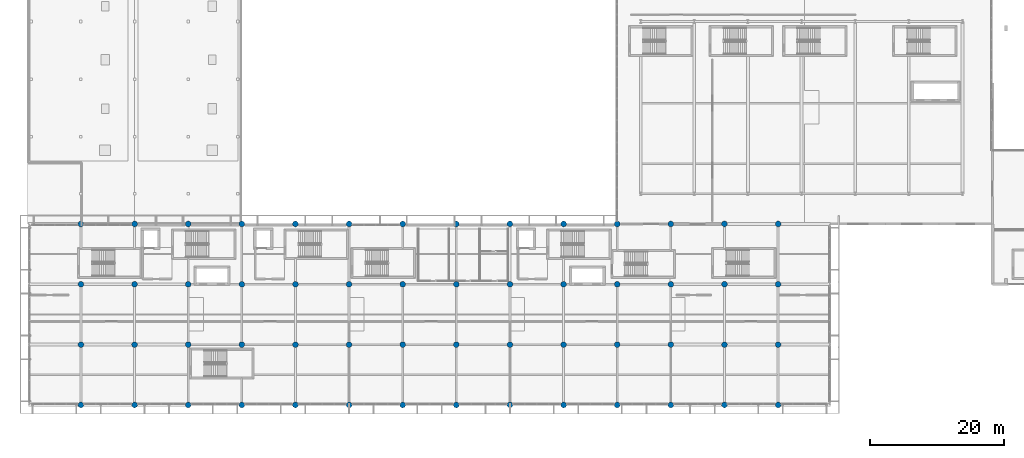
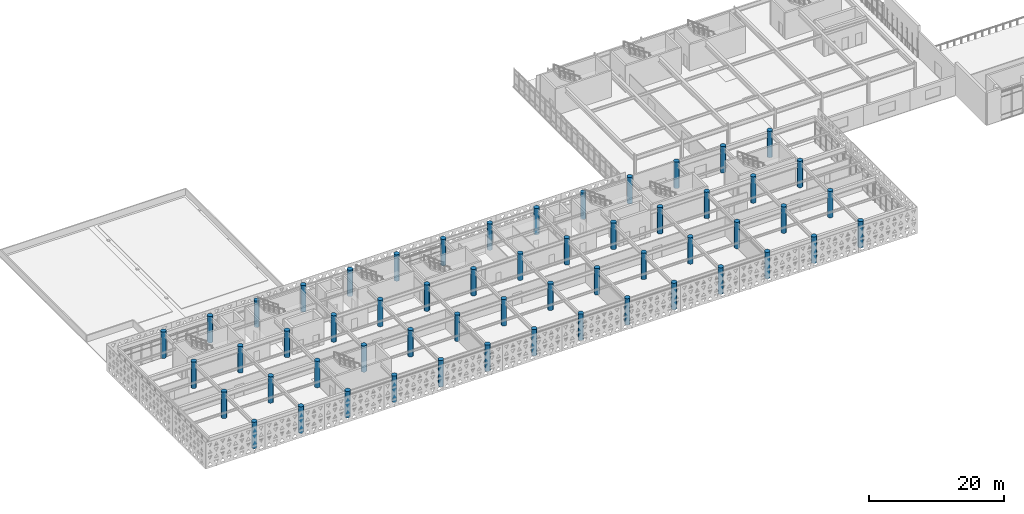
# One storey, part 1 of 54: 56 columns.
"""IFC4 building model written with IfcOpenShell, lengths in metres."""

from ifc_helpers import new_model, si_unit, direction, frame, origin, origin_2d, place, context, subcontext, project, spatial, circle, extrude, material, material_profile, profile_set, type_object, element, save


model = new_model("IFC4")

# Units and contexts
model_context = context("Model", 3, precision=1e-05, world=origin(), true_north=direction((0.0, 1.0)))
body_context = subcontext(model_context, "Body", "Model", "MODEL_VIEW")
ifc_project = project(units=[si_unit("LENGTHUNIT", "METRE"), si_unit("AREAUNIT", "SQUARE_METRE"), si_unit("VOLUMEUNIT", "CUBIC_METRE"), si_unit("PLANEANGLEUNIT", "RADIAN"), si_unit("MASSUNIT", "GRAM", prefix="KILO")], contexts=[model_context])

# Site, building, storey
site_placement = place(None, origin())
site = spatial("IfcSite", under=ifc_project, at=site_placement, CompositionType="ELEMENT")
building_placement = place(site_placement, origin())
building = spatial("IfcBuilding", under=site, at=building_placement, Name="Tlacozan Convention Centre", CompositionType="ELEMENT")
storey_placement = place(building_placement, frame((0.0, 0.0, 11.39990234375)))
storey = spatial("IfcBuildingStorey", under=building, at=storey_placement, Name="L02", CompositionType="ELEMENT", Elevation=11.39990234375)

# Columns
ifc_material = material(Name="Concrete C40/50", Category="concrete")
ifc_material_profile = material_profile(ifc_material, circle(Radius=0.425048828125, at=origin_2d()), Name="RCC D850")
ifc_profile_set = profile_set([ifc_material_profile], Name="Concrete C40/50")
column_type = type_object("IfcColumnType", Name="Column Round RCC D850", PredefinedType="COLUMN", material=ifc_profile_set)
for number, where, z_axis, x_axis, name in (
    (1, (8.0, 0.0, 0.0), (0.0, 0.0, 1.0), (1.0, 0.0, 0.0), "L02 Column 40"),
    (2, (8.0, 9.0, 0.0), (0.0, 0.0, 1.0), (1.0, 0.0, 0.0), "L02 Column 46"),
    (3, (8.0, 18.0, 0.0), (0.0, 0.0, 1.0), (1.0, 0.0, 0.0), "L02 Column 52"),
    (4, (8.0, 27.0, 0.0), (0.0, 0.0, 1.0), (1.0, 0.0, 0.0), "L02 Column 58"),
    (5, (16.0, 0.0, 0.0), (0.0, 0.0, 1.0), (1.0, 0.0, 0.0), "L02 Column 89"),
    (6, (16.0, 9.0, 0.0), (0.0, 0.0, 1.0), (1.0, 0.0, 0.0), "L02 Column 95"),
    (7, (16.0, 18.0, 0.0), (0.0, 0.0, 1.0), (1.0, 0.0, 0.0), "L02 Column 101"),
    (8, (16.0, 27.0, 0.0), (0.0, 0.0, 1.0), (1.0, 0.0, 0.0), "L02 Column 107"),
    (9, (24.0, 0.0, 0.0), (0.0, 0.0, 1.0), (1.0, 0.0, 0.0), "L02 Column 138"),
    (10, (24.0, 9.0, 0.0), (0.0, 0.0, 1.0), (1.0, 0.0, 0.0), "L02 Column 144"),
    (11, (24.0, 18.0, 0.0), (0.0, 0.0, 1.0), (1.0, 0.0, 0.0), "L02 Column 150"),
    (12, (24.0, 27.0, 0.0), (0.0, 0.0, 1.0), (1.0, 0.0, 0.0), "L02 Column 156"),
    (13, (32.0, 0.0, 0.0), (0.0, 0.0, 1.0), (1.0, 0.0, 0.0), "L02 Column 199"),
    (14, (32.0, 9.0, 0.0), (0.0, 0.0, 1.0), (1.0, 0.0, 0.0), "L02 Column 205"),
    (15, (32.0, 18.0, 0.0), (0.0, 0.0, 1.0), (1.0, 0.0, 0.0), "L02 Column 211"),
    (16, (32.0, 27.0, 0.0), (0.0, 0.0, 1.0), (1.0, 0.0, 0.0), "L02 Column 217"),
    (17, (40.0, 0.0, 0.0), (0.0, 0.0, 1.0), (1.0, 0.0, 0.0), "L02 Column 236"),
    (18, (40.0, 9.0, 0.0), (0.0, 0.0, 1.0), (1.0, 0.0, 0.0), "L02 Column 242"),
    (19, (40.0, 18.0, 0.0), (0.0, 0.0, 1.0), (1.0, 0.0, 0.0), "L02 Column 248"),
    (20, (40.0, 27.0, 0.0), (0.0, 0.0, 1.0), (1.0, 0.0, 0.0), "L02 Column 254"),
    (21, (48.0, 0.0, 0.0), (0.0, 0.0, 1.0), (1.0, 0.0, 0.0), "L02 Column 273"),
    (22, (48.0, 9.0, 0.0), (0.0, 0.0, 1.0), (1.0, 0.0, 0.0), "L02 Column 279"),
    (23, (48.0, 18.0, 0.0), (0.0, 0.0, 1.0), (1.0, 0.0, 0.0), "L02 Column 285"),
    (24, (48.0, 27.0, 0.0), (0.0, 0.0, 1.0), (1.0, 0.0, 0.0), "L02 Column 291"),
    (25, (56.0, 0.0, 0.0), (0.0, 0.0, 1.0), (1.0, 0.0, 0.0), "L02 Column 310"),
    (26, (56.0, 9.0, 0.0), (0.0, 0.0, 1.0), (1.0, 0.0, 0.0), "L02 Column 316"),
    (27, (56.0, 18.0, 0.0), (0.0, 0.0, 1.0), (1.0, 0.0, 0.0), "L02 Column 322"),
    (28, (56.0, 27.0, 0.0), (0.0, 0.0, 1.0), (1.0, 0.0, 0.0), "L02 Column 328"),
    (29, (64.0, 0.0, 0.0), (0.0, 0.0, 1.0), (1.0, 0.0, 0.0), "L02 Column 347"),
    (30, (64.0, 9.0, 0.0), (0.0, 0.0, 1.0), (1.0, 0.0, 0.0), "L02 Column 353"),
    (31, (64.0, 18.0, 0.0), (0.0, 0.0, 1.0), (1.0, 0.0, 0.0), "L02 Column 359"),
    (32, (64.0, 27.0, 0.0), (0.0, 0.0, 1.0), (1.0, 0.0, 0.0), "L02 Column 365"),
    (33, (72.0, 0.0, 0.0), (0.0, 0.0, 1.0), (1.0, 0.0, 0.0), "L02 Column 384"),
    (34, (72.0, 9.0, 0.0), (0.0, 0.0, 1.0), (1.0, 0.0, 0.0), "L02 Column 390"),
    (35, (72.0, 18.0, 0.0), (0.0, 0.0, 1.0), (1.0, 0.0, 0.0), "L02 Column 396"),
    (36, (72.0, 27.0, 0.0), (0.0, 0.0, 1.0), (1.0, 0.0, 0.0), "L02 Column 402"),
    (37, (80.0, 0.0, 0.0), (0.0, 0.0, 1.0), (1.0, 0.0, 0.0), "L02 Column 421"),
    (38, (80.0, 9.0, 0.0), (0.0, 0.0, 1.0), (1.0, 0.0, 0.0), "L02 Column 427"),
    (39, (80.0, 18.0, 0.0), (0.0, 0.0, 1.0), (1.0, 0.0, 0.0), "L02 Column 433"),
    (40, (80.0, 27.0, 0.0), (0.0, 0.0, 1.0), (1.0, 0.0, 0.0), "L02 Column 439"),
    (41, (88.0, 0.0, 0.0), (0.0, 0.0, 1.0), (1.0, 0.0, 0.0), "L02 Column 458"),
    (42, (88.0, 9.0, 0.0), (0.0, 0.0, 1.0), (1.0, 0.0, 0.0), "L02 Column 464"),
    (43, (88.0, 18.0, 0.0), (0.0, 0.0, 1.0), (1.0, 0.0, 0.0), "L02 Column 470"),
    (44, (88.0, 27.0, 0.0), (0.0, 0.0, 1.0), (1.0, 0.0, 0.0), "L02 Column 476"),
    (45, (96.0, 0.0, 0.0), (0.0, 0.0, 1.0), (1.0, 0.0, 0.0), "L02 Column 507"),
    (46, (96.0, 9.0, 0.0), (0.0, 0.0, 1.0), (1.0, 0.0, 0.0), "L02 Column 513"),
    (47, (96.0, 18.0, 0.0), (0.0, 0.0, 1.0), (1.0, 0.0, 0.0), "L02 Column 519"),
    (48, (96.0, 27.0, 0.0), (0.0, 0.0, 1.0), (1.0, 0.0, 0.0), "L02 Column 525"),
    (49, (104.0, 0.0, 0.0), (0.0, 0.0, 1.0), (1.0, 0.0, 0.0), "L02 Column 554"),
    (50, (104.0, 9.0, 0.0), (0.0, 0.0, 1.0), (1.0, 0.0, 0.0), "L02 Column 559"),
    (51, (104.0, 18.0, 0.0), (0.0, 0.0, 1.0), (1.0, 0.0, 0.0), "L02 Column 564"),
    (52, (104.0, 27.0, 0.0), (0.0, 0.0, 1.0), (1.0, 0.0, 0.0), "L02 Column 569"),
    (53, (112.0, 0.0, 0.0), (0.0, 0.0, 1.0), (1.0, 0.0, 0.0), "L02 Column 597"),
    (54, (112.0, 9.0, 0.0), (0.0, 0.0, 1.0), (1.0, 0.0, 0.0), "L02 Column 602"),
    (55, (112.0, 18.0, 0.0), (0.0, 0.0, 1.0), (1.0, 0.0, 0.0), "L02 Column 607"),
    (56, (112.0, 27.0, 0.0), (0.0, 0.0, 1.0), (1.0, 0.0, 0.0), "L02 Column 612"),
):
    element("IfcColumn", number, at=place(storey_placement, frame(where, z_axis=z_axis, x_axis=x_axis)), inside=storey, type_object=column_type, Name=name, PredefinedType="COLUMN", context=body_context, shape_type="SweptSolid", body=[
        extrude(circle(Radius=0.425048828125, at=origin_2d()), origin(), (0.0, 0.0, 1.0), 4.800048828125),
    ])

save(model, "model.ifc")
